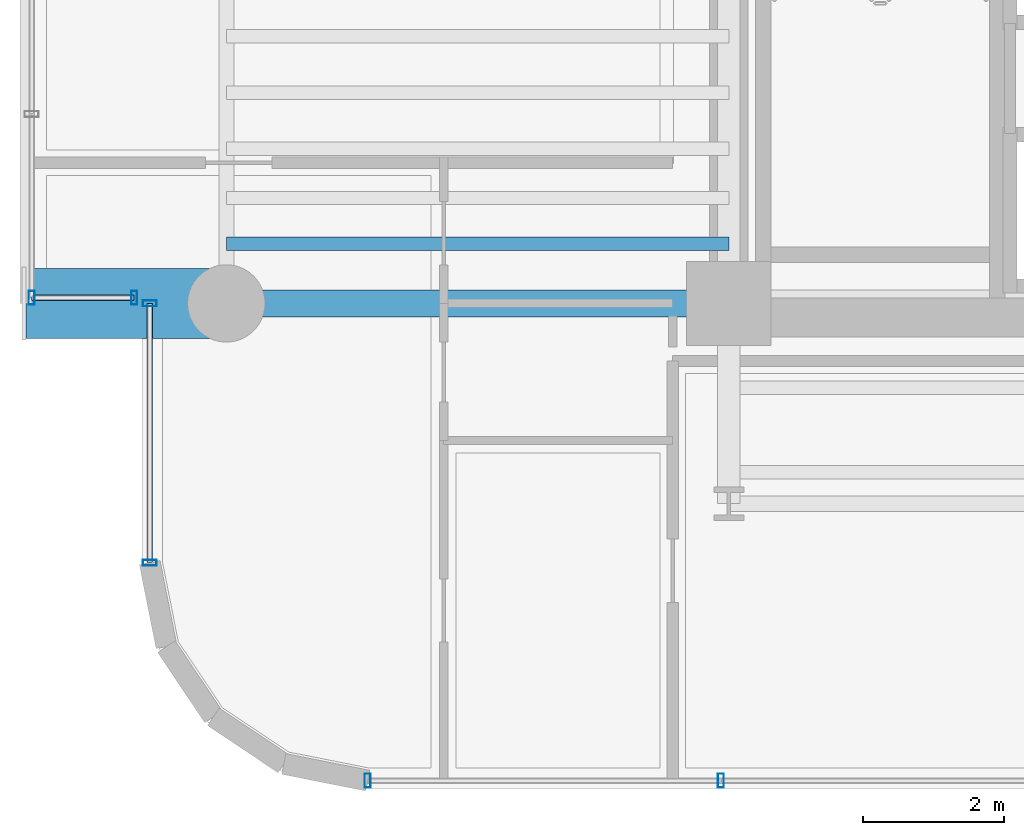
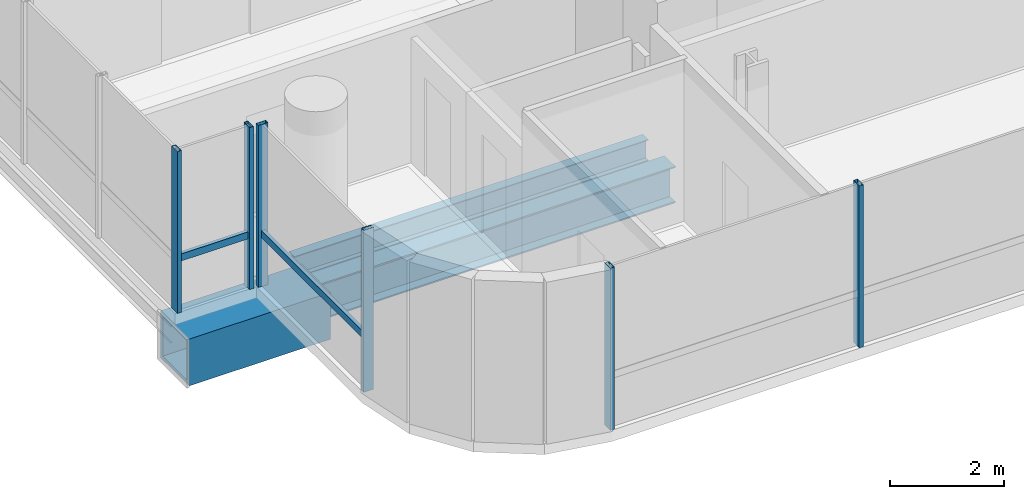
# One storey, part 2 of 34: 8 members, 3 beams, 3 elements without a shape of their own.
"""IFC4 building model written with IfcOpenShell, lengths in metres."""

from ifc_helpers import new_model, si_unit, direction, frame, origin, origin_2d, place, context, subcontext, project, spatial, hollow_rectangle, i_section, extrude, source, transform, mapped, material, material_profile, profile_set, type_object, element, aggregate, save


model = new_model("IFC4")

# Units and contexts
model_context = context("Model", 3, precision=1e-05, world=origin(), true_north=direction((0.0, 1.0)))
body_context = subcontext(model_context, "Body", "Model", "MODEL_VIEW")
ifc_project = project(units=[si_unit("LENGTHUNIT", "METRE"), si_unit("AREAUNIT", "SQUARE_METRE"), si_unit("VOLUMEUNIT", "CUBIC_METRE"), si_unit("PLANEANGLEUNIT", "RADIAN"), si_unit("MASSUNIT", "GRAM", prefix="KILO")], contexts=[model_context])

# Site, building, storey
site_placement = place(None, origin())
site = spatial("IfcSite", under=ifc_project, at=site_placement, CompositionType="ELEMENT")
building_placement = place(site_placement, origin())
building = spatial("IfcBuilding", under=site, at=building_placement, Name="Valdorenza Pilgrim Sanctuary Tower", CompositionType="ELEMENT")
storey_placement = place(building_placement, frame((0.0, 0.0, 161.199951171875)))
storey = spatial("IfcBuildingStorey", under=building, at=storey_placement, Name="L41", CompositionType="ELEMENT", Elevation=161.199951171875)

# Beams
ifc_material_1 = material(Name="Steel ASTM A992 Grade 50", Category="steel")
ifc_material_profile_1 = material_profile(ifc_material_1, i_section(OverallWidth=0.382080078125, OverallDepth=0.779052734375, WebThickness=0.01806640625, FlangeThickness=0.030029296875, at=origin_2d()), Name="W30X191")
ifc_profile_set_1 = profile_set([ifc_material_profile_1], Name="Steel ASTM A992 Grade 50")
beam_type_1 = type_object("IfcBeamType", Name="STR-BM-GRD-W30", PredefinedType="BEAM", material=ifc_profile_set_1)
shared_shape_1 = source(origin(), body_context, "Body", "SweptSolid", [
    extrude(i_section(OverallWidth=0.382080078125, OverallDepth=0.779052734375, WebThickness=0.01806640625, FlangeThickness=0.030029296875, at=origin_2d()), origin(), (0.0, 0.0, 1.0), 7.150146484375),
])
beam_1_placement = place(storey_placement, frame((-29.800048828125, -10.60009765625, -0.62939453125), z_axis=(1.0, 0.0, 0.0), x_axis=(0.0, 1.0, 0.0)))
element("IfcBeam", 1, at=beam_1_placement, inside=storey, type_object=beam_type_1, Name="L41 Floor Girder WA-XW-S1", PredefinedType="BEAM", context=body_context, shape_type="MappedRepresentation", body=[
    mapped(shared_shape_1, transform((0.0, 0.0, 0.0), x_axis=(1.0, 0.0, 0.0), y_axis=(0.0, 1.0, 0.0), z_axis=(0.0, 0.0, 1.0), scale=1.0)),
])
ifc_material_profile_2 = material_profile(ifc_material_1, i_section(OverallWidth=0.19091796875, OverallDepth=0.45703125, WebThickness=0.009033203125, FlangeThickness=0.014404296875, at=origin_2d()), Name="W18X50")
ifc_profile_set_2 = profile_set([ifc_material_profile_2], Name="Steel ASTM A992 Grade 50")
beam_type_2 = type_object("IfcBeamType", Name="STR-BM-JST-W18B", PredefinedType="JOIST", material=ifc_profile_set_2)
shared_shape_2 = source(origin(), body_context, "Body", "SweptSolid", [
    extrude(i_section(OverallWidth=0.19091796875, OverallDepth=0.45703125, WebThickness=0.009033203125, FlangeThickness=0.014404296875, at=origin_2d()), origin(), (0.0, 0.0, 1.0), 7.150146484375),
])
beam_2_placement = place(storey_placement, frame((-29.800048828125, -9.75, -0.468505859375), z_axis=(1.0, 0.0, 0.0), x_axis=(0.0, 1.0, 0.0)))
element("IfcBeam", 2, at=beam_2_placement, inside=storey, type_object=beam_type_2, Name="L41 Composite Floor Joist JST-WA-1", PredefinedType="JOIST", context=body_context, shape_type="MappedRepresentation", body=[
    mapped(shared_shape_2, transform((0.0, 0.0, 0.0), x_axis=(1.0, 0.0, 0.0), y_axis=(0.0, 1.0, 0.0), z_axis=(0.0, 0.0, 1.0), scale=1.0)),
])
ifc_material_2 = material(Name="Steel ASTM A572 Grade 42", Category="steel")
ifc_material_profile_3 = material_profile(ifc_material_2, hollow_rectangle(XDim=1.0, YDim=1.0, WallThickness=0.080078125, at=origin_2d()), Name="BOX 1000x1000x80")
ifc_profile_set_3 = profile_set([ifc_material_profile_3], Name="Steel ASTM A572 Grade 42")
beam_type_3 = type_object("IfcBeamType", Name="STR-BM-PROW-CANT", PredefinedType="BEAM", material=ifc_profile_set_3)
shared_shape_3 = source(origin(), body_context, "Body", "SweptSolid", [
    extrude(hollow_rectangle(XDim=1.0, YDim=1.0, WallThickness=0.080078125, at=origin_2d()), origin(), (0.0, 0.0, 1.0), 2.849853515625),
])
beam_3_placement = place(storey_placement, frame((-29.800048828125, -10.60009765625, -0.739990234375), z_axis=(-1.0, 0.0, 0.0), x_axis=(0.0, -1.0, 0.0)))
element("IfcBeam", 3, at=beam_3_placement, inside=storey, type_object=beam_type_3, Name="L41 Glass Box Cantilever Beam BOX-WA-L41-CT-S", PredefinedType="BEAM", context=body_context, shape_type="MappedRepresentation", body=[
    mapped(shared_shape_3, transform((0.0, 0.0, 0.0), x_axis=(1.0, 0.0, 0.0), y_axis=(0.0, 1.0, 0.0), z_axis=(0.0, 0.0, 1.0), scale=1.0)),
])

# Curtain wall, members
ifc_material_3 = material(Name="Curtain-wall IGU glazing", Category="glass")
curtain_wall_type = type_object("IfcCurtainWallType", Name="CW-SYS-02", PredefinedType="NOTDEFINED", material=ifc_material_3)
curtain_wall_1_placement = place(storey_placement, origin())
curtain_wall_1 = element("IfcCurtainWall", 4, at=curtain_wall_1_placement, inside=storey, type_object=curtain_wall_type, Name="L41 Curtain Wall CW-L41-1-1S1", PredefinedType="NOTDEFINED")
ifc_material_4 = material(Name="Anodised aluminium AW-6060", Category="aluminium")
ifc_material_profile_4 = material_profile(ifc_material_4, hollow_rectangle(XDim=0.0849609375, YDim=0.199951171875, WallThickness=0.0048828125, at=origin_2d()), Name="ALU-M 200x85x5")
ifc_profile_set_4 = profile_set([ifc_material_profile_4], Name="Anodised aluminium AW-6060")
member_type_1 = type_object("IfcMemberType", Name="CW-MUL-02", PredefinedType="MULLION", material=ifc_profile_set_4)
shared_shape_4 = source(origin(), body_context, "Body", "SweptSolid", [
    extrude(hollow_rectangle(XDim=0.0849609375, YDim=0.199951171875, WallThickness=0.0048828125, at=origin_2d()), origin(), (0.0, 0.0, 1.0), 3.4599609375),
])
member_1_placement = place(storey_placement, frame((-30.889892578125, -14.289306640625, 0.0), z_axis=(0.0, 0.0, 1.0), x_axis=(0.0, 1.0, 0.0)))
member_1 = element("IfcMember", 5, at=member_1_placement, type_object=member_type_1, Name="CW-L41-1-1S1 Mullion 1", PredefinedType="MULLION", context=body_context, shape_type="MappedRepresentation", body=[
    mapped(shared_shape_4, transform((0.0, 0.0, 0.0), x_axis=(1.0, 0.0, 0.0), y_axis=(0.0, 1.0, 0.0), z_axis=(0.0, 0.0, 1.0), scale=1.0)),
])
member_2_placement = place(storey_placement, frame((-30.889892578125, -10.60009765625, 0.0), z_axis=(0.0, 0.0, 1.0), x_axis=(0.0, 1.0, 0.0)))
member_2 = element("IfcMember", 6, at=member_2_placement, type_object=member_type_1, Name="CW-L41-1-1S1 Mullion 2", PredefinedType="MULLION", context=body_context, shape_type="MappedRepresentation", body=[
    mapped(shared_shape_4, transform((0.0, 0.0, 0.0), x_axis=(1.0, 0.0, 0.0), y_axis=(0.0, 1.0, 0.0), z_axis=(0.0, 0.0, 1.0), scale=1.0)),
])

curtain_wall_2_placement = place(storey_placement, origin())
curtain_wall_2 = element("IfcCurtainWall", 7, at=curtain_wall_2_placement, inside=storey, type_object=curtain_wall_type, Name="L41 Curtain Wall CW-L41-1-26", PredefinedType="NOTDEFINED")
member_3_placement = place(storey_placement, frame((-22.76318359375, -17.389892578125, 0.0), z_axis=(0.0, 0.0, 1.0), x_axis=(-1.0, 0.0, 0.0)))
member_3 = element("IfcMember", 8, at=member_3_placement, type_object=member_type_1, Name="CW-L41-1-26 Mullion 3", PredefinedType="MULLION", context=body_context, shape_type="MappedRepresentation", body=[
    mapped(shared_shape_4, transform((0.0, 0.0, 0.0), x_axis=(1.0, 0.0, 0.0), y_axis=(0.0, 1.0, 0.0), z_axis=(0.0, 0.0, 1.0), scale=1.0)),
])
member_4_placement = place(storey_placement, frame((-27.789306640625, -17.389892578125, 0.0), z_axis=(0.0, 0.0, 1.0), x_axis=(-1.0, 0.0, 0.0)))
member_4 = element("IfcMember", 9, at=member_4_placement, type_object=member_type_1, Name="CW-L41-1-26 Mullion 4", PredefinedType="MULLION", context=body_context, shape_type="MappedRepresentation", body=[
    mapped(shared_shape_4, transform((0.0, 0.0, 0.0), x_axis=(1.0, 0.0, 0.0), y_axis=(0.0, 1.0, 0.0), z_axis=(0.0, 0.0, 1.0), scale=1.0)),
])
aggregate(curtain_wall_2, [member_3, member_4])

curtain_wall_3_placement = place(storey_placement, origin())
curtain_wall_3 = element("IfcCurtainWall", 10, at=curtain_wall_3_placement, inside=storey, type_object=curtain_wall_type, Name="L41 Curtain Wall CW-L41-BOX-WA-L41-S", PredefinedType="NOTDEFINED")
member_5_placement = place(storey_placement, frame((-31.110107421875, -10.52001953125, 0.0), z_axis=(0.0, 0.0, 1.0), x_axis=(-1.0, 0.0, 0.0)))
member_5 = element("IfcMember", 11, at=member_5_placement, type_object=member_type_1, Name="CW-L41-BOX-WA-L41-S Mullion 1", PredefinedType="MULLION", context=body_context, shape_type="MappedRepresentation", body=[
    mapped(shared_shape_4, transform((0.0, 0.0, 0.0), x_axis=(1.0, 0.0, 0.0), y_axis=(0.0, 1.0, 0.0), z_axis=(0.0, 0.0, 1.0), scale=1.0)),
])
member_6_placement = place(storey_placement, frame((-32.570068359375, -10.52001953125, 0.0), z_axis=(0.0, 0.0, 1.0), x_axis=(-1.0, 0.0, 0.0)))
member_6 = element("IfcMember", 12, at=member_6_placement, type_object=member_type_1, Name="CW-L41-BOX-WA-L41-S Mullion 2", PredefinedType="MULLION", context=body_context, shape_type="MappedRepresentation", body=[
    mapped(shared_shape_4, transform((0.0, 0.0, 0.0), x_axis=(1.0, 0.0, 0.0), y_axis=(0.0, 1.0, 0.0), z_axis=(0.0, 0.0, 1.0), scale=1.0)),
])
ifc_material_profile_5 = material_profile(ifc_material_4, hollow_rectangle(XDim=0.074951171875, YDim=0.14990234375, WallThickness=0.00390625, at=origin_2d()), Name="ALU-T 150x75x4")
ifc_profile_set_5 = profile_set([ifc_material_profile_5], Name="Anodised aluminium AW-6060")
member_type_2 = type_object("IfcMemberType", Name="CW-TRN-02", PredefinedType="USERDEFINED", material=ifc_profile_set_5)
shared_shape_5 = source(origin(), body_context, "Body", "SweptSolid", [
    extrude(hollow_rectangle(XDim=0.074951171875, YDim=0.14990234375, WallThickness=0.00390625, at=origin_2d()), origin(), (0.0, 0.0, 1.0), 1.4599609375),
])
member_7_placement = place(storey_placement, frame((-31.110107421875, -10.52001953125, 1.1201171875), z_axis=(-1.0, 0.0, 0.0), x_axis=(0.0, -1.0, 0.0)))
member_7 = element("IfcMember", 13, at=member_7_placement, type_object=member_type_2, Name="CW-L41-BOX-WA-L41-S Transom 1", ObjectType="TRANSOM", PredefinedType="USERDEFINED", context=body_context, shape_type="MappedRepresentation", body=[
    mapped(shared_shape_5, transform((0.0, 0.0, 0.0), x_axis=(1.0, 0.0, 0.0), y_axis=(0.0, 1.0, 0.0), z_axis=(0.0, 0.0, 1.0), scale=1.0)),
])
aggregate(curtain_wall_3, [member_5, member_6, member_7])

# Member
shared_shape_6 = source(origin(), body_context, "Body", "SweptSolid", [
    extrude(hollow_rectangle(XDim=0.074951171875, YDim=0.14990234375, WallThickness=0.00390625, at=origin_2d()), origin(), (0.0, 0.0, 1.0), 3.689208984375),
])
member_8_placement = place(storey_placement, frame((-30.889892578125, -14.289306640625, 1.1201171875), z_axis=(0.0, 1.0, 0.0), x_axis=(-1.0, 0.0, 0.0)))
member_8 = element("IfcMember", 14, at=member_8_placement, type_object=member_type_2, Name="CW-L41-1-1S1 Transom 1", ObjectType="TRANSOM", PredefinedType="USERDEFINED", context=body_context, shape_type="MappedRepresentation", body=[
    mapped(shared_shape_6, transform((0.0, 0.0, 0.0), x_axis=(1.0, 0.0, 0.0), y_axis=(0.0, 1.0, 0.0), z_axis=(0.0, 0.0, 1.0), scale=1.0)),
])

aggregate(curtain_wall_1, [member_1, member_2, member_8])

save(model, "model.ifc")
